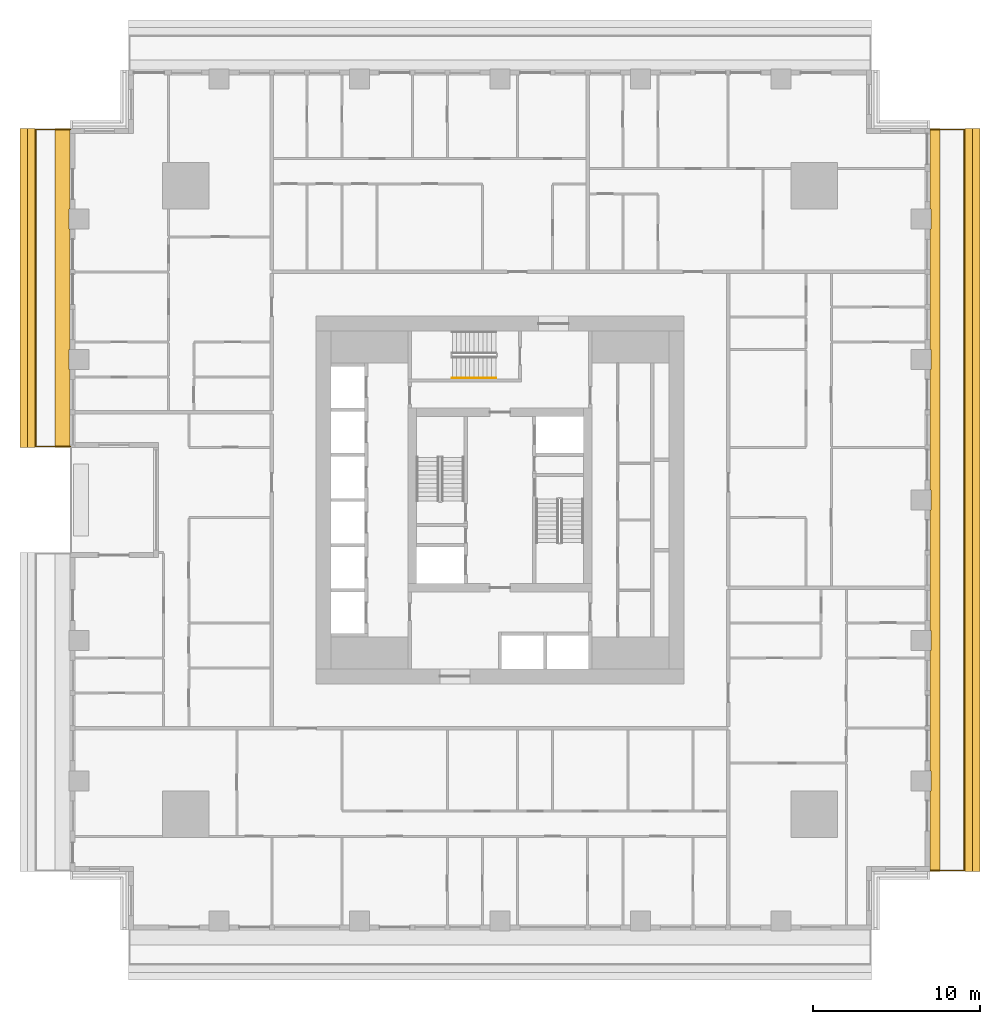
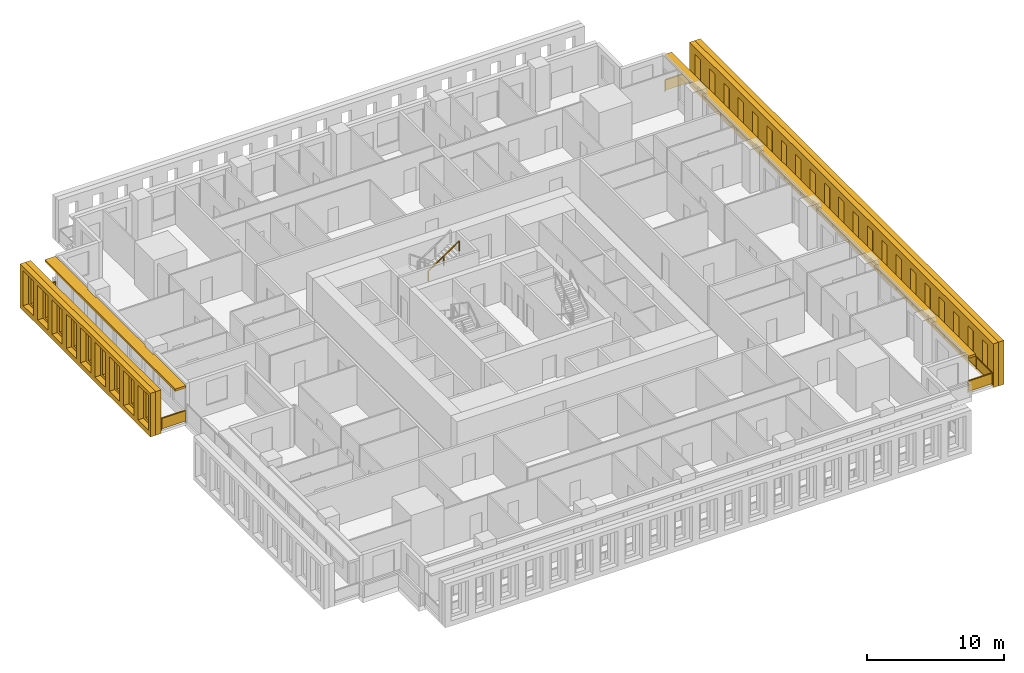
# One storey, part 14 of 16: 6 shading devices, 3 railings.
"""IFC4 building model written with IfcOpenShell, lengths in metres."""

from ifc_helpers import new_model, si_unit, direction, frame, origin, origin_2d, place, context, subcontext, project, spatial, polyline, rectangle, outline, extrude, material, layer, layer_set, type_object, element, save


model = new_model("IFC4")

# Units and contexts
model_context = context("Model", 3, precision=1e-05, world=origin(), true_north=direction((0.0, 1.0)))
body_context = subcontext(model_context, "Body", "Model", "MODEL_VIEW")
ifc_project = project(units=[si_unit("LENGTHUNIT", "METRE"), si_unit("AREAUNIT", "SQUARE_METRE"), si_unit("VOLUMEUNIT", "CUBIC_METRE"), si_unit("PLANEANGLEUNIT", "RADIAN"), si_unit("MASSUNIT", "GRAM", prefix="KILO")], contexts=[model_context])

# Site, building, storey
site_placement = place(None, origin())
site = spatial("IfcSite", under=ifc_project, at=site_placement, CompositionType="ELEMENT")
building_placement = place(site_placement, origin())
building = spatial("IfcBuilding", under=site, at=building_placement, Name="Khepri Terraces", CompositionType="ELEMENT")
storey_placement = place(building_placement, frame((0.0, 0.0, 79.199951171875)))
storey = spatial("IfcBuildingStorey", under=building, at=storey_placement, Name="L18", CompositionType="ELEMENT", Elevation=79.199951171875)

# Railings
ifc_material_1 = material(Name="Stainless steel grade 316", Category="steel")
railing_type_1 = type_object("IfcRailingType", Name="GRD-BAL-1100", PredefinedType="GUARDRAIL", material=ifc_material_1)
railing_1_placement = place(storey_placement, frame((25.719970703125, -22.169921875, 0.0)))
element("IfcRailing", 1, at=railing_1_placement, inside=storey, type_object=railing_type_1, Name="Balcony guard L18 E", PredefinedType="GUARDRAIL", context=body_context, shape_type="SweptSolid", body=[
    extrude(rectangle(XDim=0.050048828125, YDim=0.06005859375, at=origin_2d()), frame((0.0, 0.0, 1.070068359375), z_axis=(1.0, 0.0, 0.0), x_axis=(0.0, 1.0, 0.0)), (0.0, 0.0, 1.0), 2.050048828125),
    extrude(rectangle(XDim=2.0, YDim=0.011962890625, at=origin_2d()), frame((1.02490234375, 0.0, 0.10009765625), z_axis=(0.0, 0.0, 1.0), x_axis=(1.0, 0.0, 0.0)), (0.0, 0.0, 1.0), 0.93994140625),
    extrude(rectangle(XDim=0.050048828125, YDim=0.06005859375, at=origin_2d()), frame((2.050048828125, 0.0, 1.070068359375), z_axis=(0.0, 1.0, 0.0), x_axis=(-1.0, 0.0, 0.0)), (0.0, 0.0, 1.0), 44.33984375),
    extrude(rectangle(XDim=2.28369140625, YDim=0.011962890625, at=origin_2d()), frame((2.050048828125, 1.166748046875, 0.10009765625), z_axis=(0.0, 0.0, 1.0), x_axis=(0.0, 1.0, 0.0)), (0.0, 0.0, 1.0), 0.93994140625),
    extrude(rectangle(XDim=2.28369140625, YDim=0.011962890625, at=origin_2d()), frame((2.050048828125, 3.50048828125, 0.10009765625), z_axis=(0.0, 0.0, 1.0), x_axis=(0.0, 1.0, 0.0)), (0.0, 0.0, 1.0), 0.93994140625),
    extrude(rectangle(XDim=2.28369140625, YDim=0.011962890625, at=origin_2d()), frame((2.050048828125, 5.834228515625, 0.10009765625), z_axis=(0.0, 0.0, 1.0), x_axis=(0.0, 1.0, 0.0)), (0.0, 0.0, 1.0), 0.93994140625),
    extrude(rectangle(XDim=2.28369140625, YDim=0.011962890625, at=origin_2d()), frame((2.050048828125, 8.16796875, 0.10009765625), z_axis=(0.0, 0.0, 1.0), x_axis=(0.0, 1.0, 0.0)), (0.0, 0.0, 1.0), 0.93994140625),
    extrude(rectangle(XDim=2.28369140625, YDim=0.011962890625, at=origin_2d()), frame((2.050048828125, 10.50146484375, 0.10009765625), z_axis=(0.0, 0.0, 1.0), x_axis=(0.0, 1.0, 0.0)), (0.0, 0.0, 1.0), 0.93994140625),
    extrude(rectangle(XDim=2.28369140625, YDim=0.011962890625, at=origin_2d()), frame((2.050048828125, 12.835205078125, 0.10009765625), z_axis=(0.0, 0.0, 1.0), x_axis=(0.0, 1.0, 0.0)), (0.0, 0.0, 1.0), 0.93994140625),
    extrude(rectangle(XDim=2.28369140625, YDim=0.011962890625, at=origin_2d()), frame((2.050048828125, 15.1689453125, 0.10009765625), z_axis=(0.0, 0.0, 1.0), x_axis=(0.0, 1.0, 0.0)), (0.0, 0.0, 1.0), 0.93994140625),
    extrude(rectangle(XDim=2.28369140625, YDim=0.011962890625, at=origin_2d()), frame((2.050048828125, 17.502685546875, 0.10009765625), z_axis=(0.0, 0.0, 1.0), x_axis=(0.0, 1.0, 0.0)), (0.0, 0.0, 1.0), 0.93994140625),
    extrude(rectangle(XDim=2.28369140625, YDim=0.011962890625, at=origin_2d()), frame((2.050048828125, 19.836181640625, 0.10009765625), z_axis=(0.0, 0.0, 1.0), x_axis=(0.0, 1.0, 0.0)), (0.0, 0.0, 1.0), 0.93994140625),
    extrude(rectangle(XDim=2.28369140625, YDim=0.011962890625, at=origin_2d()), frame((2.050048828125, 22.169921875, 0.10009765625), z_axis=(0.0, 0.0, 1.0), x_axis=(0.0, 1.0, 0.0)), (0.0, 0.0, 1.0), 0.93994140625),
    extrude(rectangle(XDim=2.28369140625, YDim=0.011962890625, at=origin_2d()), frame((2.050048828125, 24.503662109375, 0.10009765625), z_axis=(0.0, 0.0, 1.0), x_axis=(0.0, 1.0, 0.0)), (0.0, 0.0, 1.0), 0.93994140625),
    extrude(rectangle(XDim=2.28369140625, YDim=0.011962890625, at=origin_2d()), frame((2.050048828125, 26.837158203125, 0.10009765625), z_axis=(0.0, 0.0, 1.0), x_axis=(0.0, 1.0, 0.0)), (0.0, 0.0, 1.0), 0.93994140625),
    extrude(rectangle(XDim=2.28369140625, YDim=0.011962890625, at=origin_2d()), frame((2.050048828125, 29.1708984375, 0.10009765625), z_axis=(0.0, 0.0, 1.0), x_axis=(0.0, 1.0, 0.0)), (0.0, 0.0, 1.0), 0.93994140625),
    extrude(rectangle(XDim=2.28369140625, YDim=0.011962890625, at=origin_2d()), frame((2.050048828125, 31.504638671875, 0.10009765625), z_axis=(0.0, 0.0, 1.0), x_axis=(0.0, 1.0, 0.0)), (0.0, 0.0, 1.0), 0.93994140625),
    extrude(rectangle(XDim=2.28369140625, YDim=0.011962890625, at=origin_2d()), frame((2.050048828125, 33.83837890625, 0.10009765625), z_axis=(0.0, 0.0, 1.0), x_axis=(0.0, 1.0, 0.0)), (0.0, 0.0, 1.0), 0.93994140625),
    extrude(rectangle(XDim=2.28369140625, YDim=0.011962890625, at=origin_2d()), frame((2.050048828125, 36.171875, 0.10009765625), z_axis=(0.0, 0.0, 1.0), x_axis=(0.0, 1.0, 0.0)), (0.0, 0.0, 1.0), 0.93994140625),
    extrude(rectangle(XDim=2.28369140625, YDim=0.011962890625, at=origin_2d()), frame((2.050048828125, 38.505615234375, 0.10009765625), z_axis=(0.0, 0.0, 1.0), x_axis=(0.0, 1.0, 0.0)), (0.0, 0.0, 1.0), 0.93994140625),
    extrude(rectangle(XDim=2.28369140625, YDim=0.011962890625, at=origin_2d()), frame((2.050048828125, 40.83935546875, 0.10009765625), z_axis=(0.0, 0.0, 1.0), x_axis=(0.0, 1.0, 0.0)), (0.0, 0.0, 1.0), 0.93994140625),
    extrude(rectangle(XDim=2.28369140625, YDim=0.011962890625, at=origin_2d()), frame((2.050048828125, 43.173095703125, 0.10009765625), z_axis=(0.0, 0.0, 1.0), x_axis=(0.0, 1.0, 0.0)), (0.0, 0.0, 1.0), 0.93994140625),
    extrude(rectangle(XDim=0.050048828125, YDim=0.06005859375, at=origin_2d()), frame((2.050048828125, 44.33984375, 1.070068359375), z_axis=(-1.0, 0.0, 0.0), x_axis=(0.0, -1.0, 0.0)), (0.0, 0.0, 1.0), 2.050048828125),
    extrude(rectangle(XDim=2.0, YDim=0.011962890625, at=origin_2d()), frame((1.02490234375, 44.33984375, 0.10009765625), z_axis=(0.0, 0.0, 1.0), x_axis=(-1.0, 0.0, 0.0)), (0.0, 0.0, 1.0), 0.93994140625),
    extrude(rectangle(XDim=0.050048828125, YDim=0.050048828125, at=origin_2d()), origin(), (0.0, 0.0, 1.0), 1.0400390625),
    extrude(rectangle(XDim=0.050048828125, YDim=0.050048828125, at=origin_2d()), frame((2.050048828125, 0.0, 0.0)), (0.0, 0.0, 1.0), 1.0400390625),
    extrude(rectangle(XDim=0.050048828125, YDim=0.050048828125, at=origin_2d()), frame((2.050048828125, 2.333740234375, 0.0)), (0.0, 0.0, 1.0), 1.0400390625),
    extrude(rectangle(XDim=0.050048828125, YDim=0.050048828125, at=origin_2d()), frame((2.050048828125, 4.667236328125, 0.0)), (0.0, 0.0, 1.0), 1.0400390625),
    extrude(rectangle(XDim=0.050048828125, YDim=0.050048828125, at=origin_2d()), frame((2.050048828125, 7.0009765625, 0.0)), (0.0, 0.0, 1.0), 1.0400390625),
    extrude(rectangle(XDim=0.050048828125, YDim=0.050048828125, at=origin_2d()), frame((2.050048828125, 9.334716796875, 0.0)), (0.0, 0.0, 1.0), 1.0400390625),
    extrude(rectangle(XDim=0.050048828125, YDim=0.050048828125, at=origin_2d()), frame((2.050048828125, 11.66845703125, 0.0)), (0.0, 0.0, 1.0), 1.0400390625),
    extrude(rectangle(XDim=0.050048828125, YDim=0.050048828125, at=origin_2d()), frame((2.050048828125, 14.001953125, 0.0)), (0.0, 0.0, 1.0), 1.0400390625),
    extrude(rectangle(XDim=0.050048828125, YDim=0.050048828125, at=origin_2d()), frame((2.050048828125, 16.335693359375, 0.0)), (0.0, 0.0, 1.0), 1.0400390625),
    extrude(rectangle(XDim=0.050048828125, YDim=0.050048828125, at=origin_2d()), frame((2.050048828125, 18.66943359375, 0.0)), (0.0, 0.0, 1.0), 1.0400390625),
    extrude(rectangle(XDim=0.050048828125, YDim=0.050048828125, at=origin_2d()), frame((2.050048828125, 21.003173828125, 0.0)), (0.0, 0.0, 1.0), 1.0400390625),
    extrude(rectangle(XDim=0.050048828125, YDim=0.050048828125, at=origin_2d()), frame((2.050048828125, 23.336669921875, 0.0)), (0.0, 0.0, 1.0), 1.0400390625),
    extrude(rectangle(XDim=0.050048828125, YDim=0.050048828125, at=origin_2d()), frame((2.050048828125, 25.67041015625, 0.0)), (0.0, 0.0, 1.0), 1.0400390625),
    extrude(rectangle(XDim=0.050048828125, YDim=0.050048828125, at=origin_2d()), frame((2.050048828125, 28.004150390625, 0.0)), (0.0, 0.0, 1.0), 1.0400390625),
    extrude(rectangle(XDim=0.050048828125, YDim=0.050048828125, at=origin_2d()), frame((2.050048828125, 30.337890625, 0.0)), (0.0, 0.0, 1.0), 1.0400390625),
    extrude(rectangle(XDim=0.050048828125, YDim=0.050048828125, at=origin_2d()), frame((2.050048828125, 32.67138671875, 0.0)), (0.0, 0.0, 1.0), 1.0400390625),
    extrude(rectangle(XDim=0.050048828125, YDim=0.050048828125, at=origin_2d()), frame((2.050048828125, 35.005126953125, 0.0)), (0.0, 0.0, 1.0), 1.0400390625),
    extrude(rectangle(XDim=0.050048828125, YDim=0.050048828125, at=origin_2d()), frame((2.050048828125, 37.3388671875, 0.0)), (0.0, 0.0, 1.0), 1.0400390625),
    extrude(rectangle(XDim=0.050048828125, YDim=0.050048828125, at=origin_2d()), frame((2.050048828125, 39.672607421875, 0.0)), (0.0, 0.0, 1.0), 1.0400390625),
    extrude(rectangle(XDim=0.050048828125, YDim=0.050048828125, at=origin_2d()), frame((2.050048828125, 42.006103515625, 0.0)), (0.0, 0.0, 1.0), 1.0400390625),
    extrude(rectangle(XDim=0.050048828125, YDim=0.050048828125, at=origin_2d()), frame((2.050048828125, 44.33984375, 0.0)), (0.0, 0.0, 1.0), 1.0400390625),
    extrude(rectangle(XDim=0.050048828125, YDim=0.050048828125, at=origin_2d()), frame((0.0, 44.33984375, 0.0)), (0.0, 0.0, 1.0), 1.0400390625),
])
railing_2_placement = place(storey_placement, frame((-25.719970703125, 22.169921875, 0.0)))
element("IfcRailing", 2, at=railing_2_placement, inside=storey, type_object=railing_type_1, Name="Balcony guard L18 W", PredefinedType="GUARDRAIL", context=body_context, shape_type="SweptSolid", body=[
    extrude(rectangle(XDim=0.050048828125, YDim=0.06005859375, at=origin_2d()), frame((0.0, 0.0, 1.070068359375), z_axis=(-1.0, 0.0, 0.0), x_axis=(0.0, -1.0, 0.0)), (0.0, 0.0, 1.0), 2.050048828125),
    extrude(rectangle(XDim=2.0, YDim=0.011962890625, at=origin_2d()), frame((-1.02490234375, 0.0, 0.10009765625), z_axis=(0.0, 0.0, 1.0), x_axis=(-1.0, 0.0, 0.0)), (0.0, 0.0, 1.0), 0.93994140625),
    extrude(rectangle(XDim=0.050048828125, YDim=0.06005859375, at=origin_2d()), frame((-2.050048828125, 0.0, 1.070068359375), z_axis=(0.0, -1.0, 0.0), x_axis=(1.0, 0.0, 0.0)), (0.0, 0.0, 1.0), 18.969970703125),
    extrude(rectangle(XDim=2.3212890625, YDim=0.011962890625, at=origin_2d()), frame((-2.050048828125, -1.185546875, 0.10009765625), z_axis=(0.0, 0.0, 1.0), x_axis=(0.0, -1.0, 0.0)), (0.0, 0.0, 1.0), 0.93994140625),
    extrude(rectangle(XDim=2.3212890625, YDim=0.011962890625, at=origin_2d()), frame((-2.050048828125, -3.556884765625, 0.10009765625), z_axis=(0.0, 0.0, 1.0), x_axis=(0.0, -1.0, 0.0)), (0.0, 0.0, 1.0), 0.93994140625),
    extrude(rectangle(XDim=2.3212890625, YDim=0.011962890625, at=origin_2d()), frame((-2.050048828125, -5.92822265625, 0.10009765625), z_axis=(0.0, 0.0, 1.0), x_axis=(0.0, -1.0, 0.0)), (0.0, 0.0, 1.0), 0.93994140625),
    extrude(rectangle(XDim=2.3212890625, YDim=0.011962890625, at=origin_2d()), frame((-2.050048828125, -8.29931640625, 0.10009765625), z_axis=(0.0, 0.0, 1.0), x_axis=(0.0, -1.0, 0.0)), (0.0, 0.0, 1.0), 0.93994140625),
    extrude(rectangle(XDim=2.3212890625, YDim=0.011962890625, at=origin_2d()), frame((-2.050048828125, -10.670654296875, 0.10009765625), z_axis=(0.0, 0.0, 1.0), x_axis=(0.0, -1.0, 0.0)), (0.0, 0.0, 1.0), 0.93994140625),
    extrude(rectangle(XDim=2.3212890625, YDim=0.011962890625, at=origin_2d()), frame((-2.050048828125, -13.041748046875, 0.10009765625), z_axis=(0.0, 0.0, 1.0), x_axis=(0.0, -1.0, 0.0)), (0.0, 0.0, 1.0), 0.93994140625),
    extrude(rectangle(XDim=2.3212890625, YDim=0.011962890625, at=origin_2d()), frame((-2.050048828125, -15.4130859375, 0.10009765625), z_axis=(0.0, 0.0, 1.0), x_axis=(0.0, -1.0, 0.0)), (0.0, 0.0, 1.0), 0.93994140625),
    extrude(rectangle(XDim=2.3212890625, YDim=0.011962890625, at=origin_2d()), frame((-2.050048828125, -17.784423828125, 0.10009765625), z_axis=(0.0, 0.0, 1.0), x_axis=(0.0, -1.0, 0.0)), (0.0, 0.0, 1.0), 0.93994140625),
    extrude(rectangle(XDim=0.050048828125, YDim=0.06005859375, at=origin_2d()), frame((-2.050048828125, -18.969970703125, 1.070068359375), z_axis=(1.0, 0.0, 0.0), x_axis=(0.0, 1.0, 0.0)), (0.0, 0.0, 1.0), 2.050048828125),
    extrude(rectangle(XDim=2.0, YDim=0.011962890625, at=origin_2d()), frame((-1.02490234375, -18.969970703125, 0.10009765625), z_axis=(0.0, 0.0, 1.0), x_axis=(1.0, 0.0, 0.0)), (0.0, 0.0, 1.0), 0.93994140625),
    extrude(rectangle(XDim=0.050048828125, YDim=0.050048828125, at=origin_2d()), origin(), (0.0, 0.0, 1.0), 1.0400390625),
    extrude(rectangle(XDim=0.050048828125, YDim=0.050048828125, at=origin_2d()), frame((-2.050048828125, 0.0, 0.0)), (0.0, 0.0, 1.0), 1.0400390625),
    extrude(rectangle(XDim=0.050048828125, YDim=0.050048828125, at=origin_2d()), frame((-2.050048828125, -2.371337890625, 0.0)), (0.0, 0.0, 1.0), 1.0400390625),
    extrude(rectangle(XDim=0.050048828125, YDim=0.050048828125, at=origin_2d()), frame((-2.050048828125, -4.742431640625, 0.0)), (0.0, 0.0, 1.0), 1.0400390625),
    extrude(rectangle(XDim=0.050048828125, YDim=0.050048828125, at=origin_2d()), frame((-2.050048828125, -7.11376953125, 0.0)), (0.0, 0.0, 1.0), 1.0400390625),
    extrude(rectangle(XDim=0.050048828125, YDim=0.050048828125, at=origin_2d()), frame((-2.050048828125, -9.48486328125, 0.0)), (0.0, 0.0, 1.0), 1.0400390625),
    extrude(rectangle(XDim=0.050048828125, YDim=0.050048828125, at=origin_2d()), frame((-2.050048828125, -11.856201171875, 0.0)), (0.0, 0.0, 1.0), 1.0400390625),
    extrude(rectangle(XDim=0.050048828125, YDim=0.050048828125, at=origin_2d()), frame((-2.050048828125, -14.2275390625, 0.0)), (0.0, 0.0, 1.0), 1.0400390625),
    extrude(rectangle(XDim=0.050048828125, YDim=0.050048828125, at=origin_2d()), frame((-2.050048828125, -16.5986328125, 0.0)), (0.0, 0.0, 1.0), 1.0400390625),
    extrude(rectangle(XDim=0.050048828125, YDim=0.050048828125, at=origin_2d()), frame((-2.050048828125, -18.969970703125, 0.0)), (0.0, 0.0, 1.0), 1.0400390625),
    extrude(rectangle(XDim=0.050048828125, YDim=0.050048828125, at=origin_2d()), frame((0.0, -18.969970703125, 0.0)), (0.0, 0.0, 1.0), 1.0400390625),
])
ifc_material_2 = material(Name="Stainless steel 316", Category="steel")
railing_type_2 = type_object("IfcRailingType", Name="RL-CORE-HANDRAIL", PredefinedType="HANDRAIL", material=ifc_material_2)
railing_3_placement = place(storey_placement, frame((-2.85009765625, 7.300048828125, 2.12744140625)))
element("IfcRailing", 3, at=railing_3_placement, inside=storey, type_object=railing_type_2, Name="L18 ST-3 stair handrail 2", PredefinedType="HANDRAIL", context=body_context, shape_type="SweptSolid", body=[
    extrude(rectangle(XDim=0.050048828125, YDim=0.050048828125, at=origin_2d()), frame((0.0, 0.0, 0.875), z_axis=(0.826240473404, 0.0, 0.563317565952), x_axis=(0.0, 1.0, 0.0)), (0.0, 0.0, 1.0), 3.14697265625),
    extrude(rectangle(XDim=0.050048828125, YDim=0.050048828125, at=origin_2d()), origin(), (0.0, 0.0, 1.0), 0.849853515625),
    extrude(rectangle(XDim=0.050048828125, YDim=0.050048828125, at=origin_2d()), frame((1.300048828125, 0.0, 0.88623046875)), (0.0, 0.0, 1.0), 0.849853515625),
    extrude(rectangle(XDim=0.050048828125, YDim=0.050048828125, at=origin_2d()), frame((2.60009765625, 0.0, 1.772705078125)), (0.0, 0.0, 1.0), 0.849853515625),
])

# Shading devices
ifc_material_3 = material(Name="Precast concrete C50/60 warm stone", Category="masonry")
shading_device_type_1 = type_object("IfcShadingDeviceType", Name="SCR-CELL-INNER-450", PredefinedType="USERDEFINED", material=ifc_material_3)
shading_device_1_placement = place(storey_placement, frame((27.820068359375, -22.219970703125, -0.25), z_axis=(1.0, 0.0, 0.0), x_axis=(0.0, 1.0, 0.0)))
element("IfcShadingDevice", 4, at=shading_device_1_placement, inside=storey, type_object=shading_device_type_1, Name="Cell screen L18 E in", ObjectType="SCREEN", PredefinedType="USERDEFINED", context=body_context, shape_type="SweptSolid", body=[
    extrude(outline(polyline([(0.0, 0.0), (44.43994140625, 0.0), (44.43994140625, 3.89990234375), (0.0, 3.89990234375), (0.0, 0.0)]), holes=[polyline([(0.818359375, 0.699951171875), (1.62158203125, 0.699951171875), (1.62158203125, 3.300048828125), (0.818359375, 3.300048828125), (0.818359375, 0.699951171875)]), polyline([(2.91845703125, 0.699951171875), (3.7216796875, 0.699951171875), (3.7216796875, 3.300048828125), (2.91845703125, 3.300048828125), (2.91845703125, 0.699951171875)]), polyline([(5.018310546875, 0.699951171875), (5.821533203125, 0.699951171875), (5.821533203125, 3.300048828125), (5.018310546875, 3.300048828125), (5.018310546875, 0.699951171875)]), polyline([(7.118408203125, 0.699951171875), (7.921630859375, 0.699951171875), (7.921630859375, 3.300048828125), (7.118408203125, 3.300048828125), (7.118408203125, 0.699951171875)]), polyline([(9.218505859375, 0.699951171875), (10.021484375, 0.699951171875), (10.021484375, 3.300048828125), (9.218505859375, 3.300048828125), (9.218505859375, 0.699951171875)]), polyline([(11.318359375, 0.699951171875), (12.12158203125, 0.699951171875), (12.12158203125, 3.300048828125), (11.318359375, 3.300048828125), (11.318359375, 0.699951171875)]), polyline([(13.41845703125, 0.699951171875), (14.2216796875, 0.699951171875), (14.2216796875, 3.300048828125), (13.41845703125, 3.300048828125), (13.41845703125, 0.699951171875)]), polyline([(15.518310546875, 0.699951171875), (16.321533203125, 0.699951171875), (16.321533203125, 3.300048828125), (15.518310546875, 3.300048828125), (15.518310546875, 0.699951171875)]), polyline([(17.618408203125, 0.699951171875), (18.421630859375, 0.699951171875), (18.421630859375, 3.300048828125), (17.618408203125, 3.300048828125), (17.618408203125, 0.699951171875)]), polyline([(19.718505859375, 0.699951171875), (20.521484375, 0.699951171875), (20.521484375, 3.300048828125), (19.718505859375, 3.300048828125), (19.718505859375, 0.699951171875)]), polyline([(21.818359375, 0.699951171875), (22.62158203125, 0.699951171875), (22.62158203125, 3.300048828125), (21.818359375, 3.300048828125), (21.818359375, 0.699951171875)]), polyline([(23.91845703125, 0.699951171875), (24.7216796875, 0.699951171875), (24.7216796875, 3.300048828125), (23.91845703125, 3.300048828125), (23.91845703125, 0.699951171875)]), polyline([(26.018310546875, 0.699951171875), (26.821533203125, 0.699951171875), (26.821533203125, 3.300048828125), (26.018310546875, 3.300048828125), (26.018310546875, 0.699951171875)]), polyline([(28.118408203125, 0.699951171875), (28.921630859375, 0.699951171875), (28.921630859375, 3.300048828125), (28.118408203125, 3.300048828125), (28.118408203125, 0.699951171875)]), polyline([(30.218505859375, 0.699951171875), (31.021484375, 0.699951171875), (31.021484375, 3.300048828125), (30.218505859375, 3.300048828125), (30.218505859375, 0.699951171875)]), polyline([(32.318359375, 0.699951171875), (33.12158203125, 0.699951171875), (33.12158203125, 3.300048828125), (32.318359375, 3.300048828125), (32.318359375, 0.699951171875)]), polyline([(34.41845703125, 0.699951171875), (35.2216796875, 0.699951171875), (35.2216796875, 3.300048828125), (34.41845703125, 3.300048828125), (34.41845703125, 0.699951171875)]), polyline([(36.518310546875, 0.699951171875), (37.321533203125, 0.699951171875), (37.321533203125, 3.300048828125), (36.518310546875, 3.300048828125), (36.518310546875, 0.699951171875)]), polyline([(38.618408203125, 0.699951171875), (39.421630859375, 0.699951171875), (39.421630859375, 3.300048828125), (38.618408203125, 3.300048828125), (38.618408203125, 0.699951171875)]), polyline([(40.718505859375, 0.699951171875), (41.521484375, 0.699951171875), (41.521484375, 3.300048828125), (40.718505859375, 3.300048828125), (40.718505859375, 0.699951171875)]), polyline([(42.818359375, 0.699951171875), (43.62158203125, 0.699951171875), (43.62158203125, 3.300048828125), (42.818359375, 3.300048828125), (42.818359375, 0.699951171875)])]), origin(), (0.0, 0.0, 1.0), 0.449951171875),
])
shading_device_2_placement = place(storey_placement, frame((-27.820068359375, 22.219970703125, -0.25), z_axis=(-1.0, 0.0, 0.0), x_axis=(0.0, -1.0, 0.0)))
element("IfcShadingDevice", 5, at=shading_device_2_placement, inside=storey, type_object=shading_device_type_1, Name="Cell screen L18 W in", ObjectType="SCREEN", PredefinedType="USERDEFINED", context=body_context, shape_type="SweptSolid", body=[
    extrude(outline(polyline([(0.0, 0.0), (19.070068359375, 0.0), (19.070068359375, 3.89990234375), (0.0, 3.89990234375), (0.0, 0.0)]), holes=[polyline([(0.818359375, 0.699951171875), (1.62158203125, 0.699951171875), (1.62158203125, 3.300048828125), (0.818359375, 3.300048828125), (0.818359375, 0.699951171875)]), polyline([(2.91845703125, 0.699951171875), (3.7216796875, 0.699951171875), (3.7216796875, 3.300048828125), (2.91845703125, 3.300048828125), (2.91845703125, 0.699951171875)]), polyline([(5.018310546875, 0.699951171875), (5.821533203125, 0.699951171875), (5.821533203125, 3.300048828125), (5.018310546875, 3.300048828125), (5.018310546875, 0.699951171875)]), polyline([(7.118408203125, 0.699951171875), (7.921630859375, 0.699951171875), (7.921630859375, 3.300048828125), (7.118408203125, 3.300048828125), (7.118408203125, 0.699951171875)]), polyline([(9.218505859375, 0.699951171875), (10.021484375, 0.699951171875), (10.021484375, 3.300048828125), (9.218505859375, 3.300048828125), (9.218505859375, 0.699951171875)]), polyline([(11.318359375, 0.699951171875), (12.12158203125, 0.699951171875), (12.12158203125, 3.300048828125), (11.318359375, 3.300048828125), (11.318359375, 0.699951171875)]), polyline([(13.41845703125, 0.699951171875), (14.2216796875, 0.699951171875), (14.2216796875, 3.300048828125), (13.41845703125, 3.300048828125), (13.41845703125, 0.699951171875)]), polyline([(15.518310546875, 0.699951171875), (16.321533203125, 0.699951171875), (16.321533203125, 3.300048828125), (15.518310546875, 3.300048828125), (15.518310546875, 0.699951171875)]), polyline([(17.618408203125, 0.699951171875), (18.421630859375, 0.699951171875), (18.421630859375, 3.300048828125), (17.618408203125, 3.300048828125), (17.618408203125, 0.699951171875)])]), origin(), (0.0, 0.0, 1.0), 0.449951171875),
])
shading_device_type_2 = type_object("IfcShadingDeviceType", Name="SCR-CELL-OUTER-450", PredefinedType="USERDEFINED", material=ifc_material_3)
shading_device_3_placement = place(storey_placement, frame((28.27001953125, -22.219970703125, -0.25), z_axis=(1.0, 0.0, 0.0), x_axis=(0.0, 1.0, 0.0)))
element("IfcShadingDevice", 6, at=shading_device_3_placement, inside=storey, type_object=shading_device_type_2, Name="Cell screen L18 E out", ObjectType="SCREEN", PredefinedType="USERDEFINED", context=body_context, shape_type="SweptSolid", body=[
    extrude(outline(polyline([(0.0, 0.0), (44.43994140625, 0.0), (44.43994140625, 3.89990234375), (0.0, 3.89990234375), (0.0, 0.0)]), holes=[polyline([(0.468505859375, 0.449951171875), (1.9716796875, 0.449951171875), (1.9716796875, 3.550048828125), (0.468505859375, 3.550048828125), (0.468505859375, 0.449951171875)]), polyline([(2.568359375, 0.449951171875), (4.071533203125, 0.449951171875), (4.071533203125, 3.550048828125), (2.568359375, 3.550048828125), (2.568359375, 0.449951171875)]), polyline([(4.66845703125, 0.449951171875), (6.171630859375, 0.449951171875), (6.171630859375, 3.550048828125), (4.66845703125, 3.550048828125), (4.66845703125, 0.449951171875)]), polyline([(6.768310546875, 0.449951171875), (8.271484375, 0.449951171875), (8.271484375, 3.550048828125), (6.768310546875, 3.550048828125), (6.768310546875, 0.449951171875)]), polyline([(8.868408203125, 0.449951171875), (10.37158203125, 0.449951171875), (10.37158203125, 3.550048828125), (8.868408203125, 3.550048828125), (8.868408203125, 0.449951171875)]), polyline([(10.968505859375, 0.449951171875), (12.4716796875, 0.449951171875), (12.4716796875, 3.550048828125), (10.968505859375, 3.550048828125), (10.968505859375, 0.449951171875)]), polyline([(13.068359375, 0.449951171875), (14.571533203125, 0.449951171875), (14.571533203125, 3.550048828125), (13.068359375, 3.550048828125), (13.068359375, 0.449951171875)]), polyline([(15.16845703125, 0.449951171875), (16.671630859375, 0.449951171875), (16.671630859375, 3.550048828125), (15.16845703125, 3.550048828125), (15.16845703125, 0.449951171875)]), polyline([(17.268310546875, 0.449951171875), (18.771484375, 0.449951171875), (18.771484375, 3.550048828125), (17.268310546875, 3.550048828125), (17.268310546875, 0.449951171875)]), polyline([(19.368408203125, 0.449951171875), (20.87158203125, 0.449951171875), (20.87158203125, 3.550048828125), (19.368408203125, 3.550048828125), (19.368408203125, 0.449951171875)]), polyline([(21.468505859375, 0.449951171875), (22.9716796875, 0.449951171875), (22.9716796875, 3.550048828125), (21.468505859375, 3.550048828125), (21.468505859375, 0.449951171875)]), polyline([(23.568359375, 0.449951171875), (25.071533203125, 0.449951171875), (25.071533203125, 3.550048828125), (23.568359375, 3.550048828125), (23.568359375, 0.449951171875)]), polyline([(25.66845703125, 0.449951171875), (27.171630859375, 0.449951171875), (27.171630859375, 3.550048828125), (25.66845703125, 3.550048828125), (25.66845703125, 0.449951171875)]), polyline([(27.768310546875, 0.449951171875), (29.271484375, 0.449951171875), (29.271484375, 3.550048828125), (27.768310546875, 3.550048828125), (27.768310546875, 0.449951171875)]), polyline([(29.868408203125, 0.449951171875), (31.37158203125, 0.449951171875), (31.37158203125, 3.550048828125), (29.868408203125, 3.550048828125), (29.868408203125, 0.449951171875)]), polyline([(31.968505859375, 0.449951171875), (33.4716796875, 0.449951171875), (33.4716796875, 3.550048828125), (31.968505859375, 3.550048828125), (31.968505859375, 0.449951171875)]), polyline([(34.068359375, 0.449951171875), (35.571533203125, 0.449951171875), (35.571533203125, 3.550048828125), (34.068359375, 3.550048828125), (34.068359375, 0.449951171875)]), polyline([(36.16845703125, 0.449951171875), (37.671630859375, 0.449951171875), (37.671630859375, 3.550048828125), (36.16845703125, 3.550048828125), (36.16845703125, 0.449951171875)]), polyline([(38.268310546875, 0.449951171875), (39.771484375, 0.449951171875), (39.771484375, 3.550048828125), (38.268310546875, 3.550048828125), (38.268310546875, 0.449951171875)]), polyline([(40.368408203125, 0.449951171875), (41.87158203125, 0.449951171875), (41.87158203125, 3.550048828125), (40.368408203125, 3.550048828125), (40.368408203125, 0.449951171875)]), polyline([(42.468505859375, 0.449951171875), (43.9716796875, 0.449951171875), (43.9716796875, 3.550048828125), (42.468505859375, 3.550048828125), (42.468505859375, 0.449951171875)])]), origin(), (0.0, 0.0, 1.0), 0.449951171875),
])
shading_device_4_placement = place(storey_placement, frame((-28.27001953125, 22.219970703125, -0.25), z_axis=(-1.0, 0.0, 0.0), x_axis=(0.0, -1.0, 0.0)))
element("IfcShadingDevice", 7, at=shading_device_4_placement, inside=storey, type_object=shading_device_type_2, Name="Cell screen L18 W out", ObjectType="SCREEN", PredefinedType="USERDEFINED", context=body_context, shape_type="SweptSolid", body=[
    extrude(outline(polyline([(0.0, 0.0), (19.070068359375, 0.0), (19.070068359375, 3.89990234375), (0.0, 3.89990234375), (0.0, 0.0)]), holes=[polyline([(0.468505859375, 0.449951171875), (1.9716796875, 0.449951171875), (1.9716796875, 3.550048828125), (0.468505859375, 3.550048828125), (0.468505859375, 0.449951171875)]), polyline([(2.568359375, 0.449951171875), (4.071533203125, 0.449951171875), (4.071533203125, 3.550048828125), (2.568359375, 3.550048828125), (2.568359375, 0.449951171875)]), polyline([(4.66845703125, 0.449951171875), (6.171630859375, 0.449951171875), (6.171630859375, 3.550048828125), (4.66845703125, 3.550048828125), (4.66845703125, 0.449951171875)]), polyline([(6.768310546875, 0.449951171875), (8.271484375, 0.449951171875), (8.271484375, 3.550048828125), (6.768310546875, 3.550048828125), (6.768310546875, 0.449951171875)]), polyline([(8.868408203125, 0.449951171875), (10.37158203125, 0.449951171875), (10.37158203125, 3.550048828125), (8.868408203125, 3.550048828125), (8.868408203125, 0.449951171875)]), polyline([(10.968505859375, 0.449951171875), (12.4716796875, 0.449951171875), (12.4716796875, 3.550048828125), (10.968505859375, 3.550048828125), (10.968505859375, 0.449951171875)]), polyline([(13.068359375, 0.449951171875), (14.571533203125, 0.449951171875), (14.571533203125, 3.550048828125), (13.068359375, 3.550048828125), (13.068359375, 0.449951171875)]), polyline([(15.16845703125, 0.449951171875), (16.671630859375, 0.449951171875), (16.671630859375, 3.550048828125), (15.16845703125, 3.550048828125), (15.16845703125, 0.449951171875)]), polyline([(17.268310546875, 0.449951171875), (18.771484375, 0.449951171875), (18.771484375, 3.550048828125), (17.268310546875, 3.550048828125), (17.268310546875, 0.449951171875)])]), origin(), (0.0, 0.0, 1.0), 0.449951171875),
])
ifc_layer_1 = layer(ifc_material_3, 0.199951171875, Name="Precast concrete C50/60 warm stone", Category="masonry")
ifc_layer_set_1 = layer_set([ifc_layer_1], Name="Precast concrete C50/60 warm stone")
shading_device_type_3 = type_object("IfcShadingDeviceType", Name="SSH-BAND-STONE-200", PredefinedType="USERDEFINED", material=ifc_layer_set_1)
shading_device_5_placement = place(storey_placement, frame((0.0, 0.0, 3.10009765625)))
element("IfcShadingDevice", 8, at=shading_device_5_placement, inside=storey, type_object=shading_device_type_3, Name="Sunshade band L18 W", ObjectType="SUNSHADE", PredefinedType="USERDEFINED", context=body_context, shape_type="SweptSolid", body=[
    extrude(outline(polyline([(-25.719970703125, 17.39990234375), (-25.719970703125, 22.219970703125), (-26.6201171875, 22.219970703125), (-26.6201171875, 3.14990234375), (-25.719970703125, 3.14990234375), (-25.719970703125, 7.800048828125), (-25.800048828125, 7.800048828125), (-25.800048828125, 9.0), (-25.719970703125, 9.0), (-25.719970703125, 16.199951171875), (-25.800048828125, 16.199951171875), (-25.800048828125, 17.39990234375), (-25.719970703125, 17.39990234375)])), origin(), (0.0, 0.0, 1.0), 0.199951171875),
])
ifc_layer_2 = layer(ifc_material_3, 0.199951171875, Name="Precast concrete C50/60 warm stone", Category="masonry")
ifc_layer_set_2 = layer_set([ifc_layer_2], Name="Precast concrete C50/60 warm stone")
shading_device_type_4 = type_object("IfcShadingDeviceType", Name="SSH-BAND-STONE-200-N", PredefinedType="USERDEFINED", material=ifc_layer_set_2)
shading_device_6_placement = place(storey_placement, frame((0.0, 0.0, 3.10009765625)))
element("IfcShadingDevice", 9, at=shading_device_6_placement, inside=storey, type_object=shading_device_type_4, Name="Sunshade band L18 E", ObjectType="SUNSHADE", PredefinedType="USERDEFINED", context=body_context, shape_type="SweptSolid", body=[
    extrude(outline(polyline([(25.719970703125, -17.39990234375), (25.719970703125, -22.219970703125), (26.320068359375, -22.219970703125), (26.320068359375, 22.219970703125), (25.719970703125, 22.219970703125), (25.719970703125, 17.39990234375), (25.800048828125, 17.39990234375), (25.800048828125, 16.199951171875), (25.719970703125, 16.199951171875), (25.719970703125, 9.0), (25.800048828125, 9.0), (25.800048828125, 7.800048828125), (25.719970703125, 7.800048828125), (25.719970703125, 0.60009765625), (25.800048828125, 0.60009765625), (25.800048828125, -0.60009765625), (25.719970703125, -0.60009765625), (25.719970703125, -7.800048828125), (25.800048828125, -7.800048828125), (25.800048828125, -9.0), (25.719970703125, -9.0), (25.719970703125, -16.199951171875), (25.800048828125, -16.199951171875), (25.800048828125, -17.39990234375), (25.719970703125, -17.39990234375)])), origin(), (0.0, 0.0, 1.0), 0.199951171875),
])

save(model, "model.ifc")
